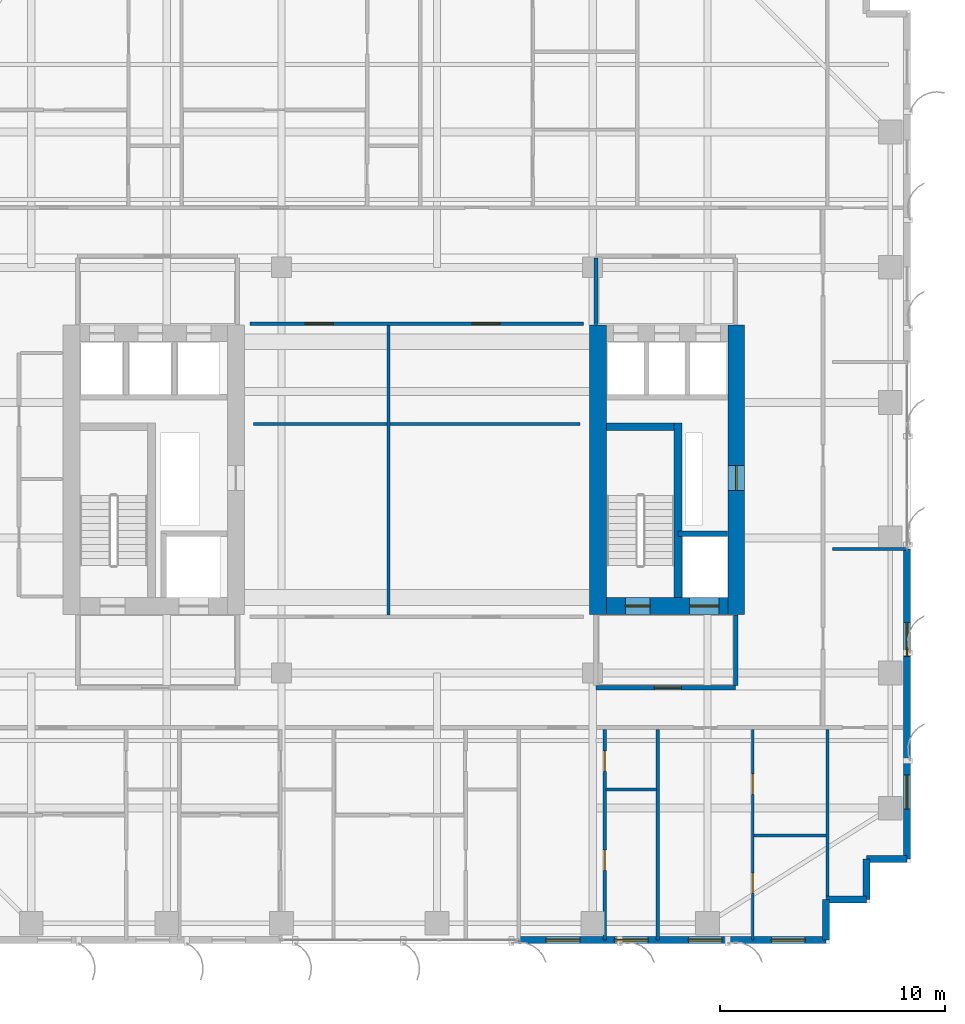
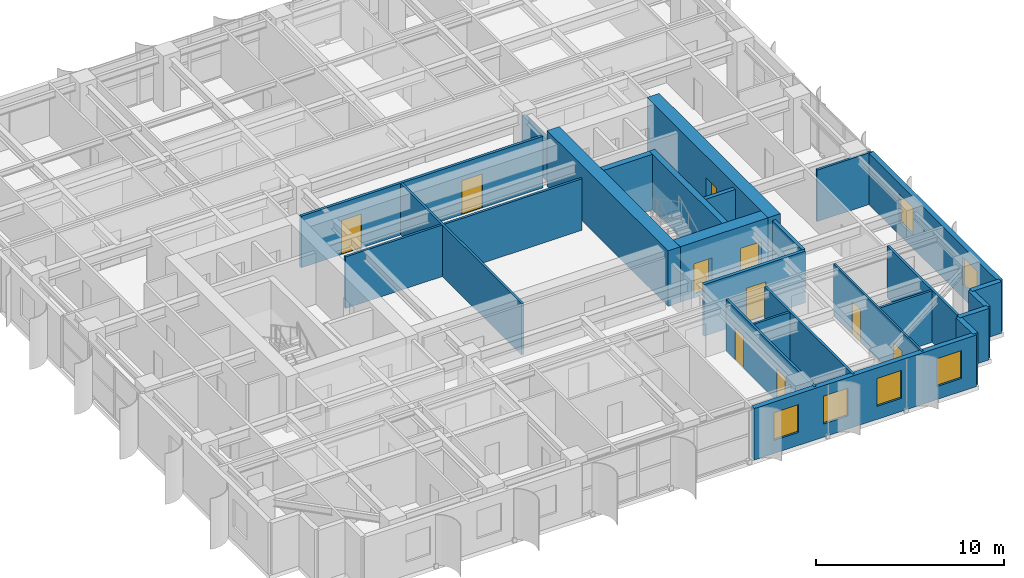
# One storey, part 15 of 22: 25 walls, 10 doors, 6 windows, 16 openings.
"""IFC4 building model written with IfcOpenShell, lengths in metres."""

from ifc_helpers import new_model, si_unit, direction, frame, frame_2d, origin, place, context, subcontext, project, spatial, rectangle, extrude, source, transform, mapped, material, layer, layer_set, type_object, element, fill, save


model = new_model("IFC4")

# Units and contexts
model_context = context("Model", 3, precision=1e-05, world=origin(), true_north=direction((0.0, 1.0)))
body_context = subcontext(model_context, "Body", "Model", "MODEL_VIEW")
ifc_project = project(units=[si_unit("LENGTHUNIT", "METRE"), si_unit("AREAUNIT", "SQUARE_METRE"), si_unit("VOLUMEUNIT", "CUBIC_METRE"), si_unit("PLANEANGLEUNIT", "RADIAN"), si_unit("MASSUNIT", "GRAM", prefix="KILO")], contexts=[model_context])

# Site, building, storey
site_placement = place(None, origin())
site = spatial("IfcSite", under=ifc_project, at=site_placement, CompositionType="ELEMENT")
building_placement = place(site_placement, origin())
building = spatial("IfcBuilding", under=site, at=building_placement, Name="Khoralis Quay Care Tower", CompositionType="ELEMENT")
storey_placement = place(building_placement, frame((0.0, 0.0, 94.5)))
storey = spatial("IfcBuildingStorey", under=building, at=storey_placement, Name="L24", CompositionType="ELEMENT", Elevation=94.5)

# Wall, opening, door
ifc_material_1 = material(Name="Gypsum plasterboard on acoustic metal stud")
ifc_layer_1 = layer(ifc_material_1, 0.199951171875)
ifc_layer_set_1 = layer_set([ifc_layer_1], Name="Gypsum plasterboard on acoustic metal stud")
wall_type_1 = type_object("IfcWallType", Name="WL-COMP-200", PredefinedType="PARTITIONING", material=ifc_layer_set_1)
wall_1_placement = place(storey_placement, frame((31.050048828125, 11.35009765625, 0.0), z_axis=(0.0, 0.0, 1.0), x_axis=(1.0, 0.0, 0.0)))
wall_1 = element("IfcWall", 1, at=wall_1_placement, inside=storey, type_object=wall_type_1, Name="L24 East Firefighting Lobby South Wall", PredefinedType="PARTITIONING", context=body_context, shape_type="SweptSolid", body=[
    extrude(rectangle(XDim=6.199951171875, YDim=0.199951171875, at=frame_2d((3.10009765625, 0.0))), origin(), (0.0, 0.0, 1.0), 3.340087890625),
])
opening_1_placement = place(wall_1_placement, frame((2.585693359375, 0.0, 0.0)))
opening_1 = element("IfcOpeningElement", 2, at=opening_1_placement, cuts=wall_1, Name="Opening FD1", PredefinedType="OPENING", context=body_context, shape_type="SweptSolid", body=[
    extrude(rectangle(XDim=1.199951171875, YDim=2.199951171875, at=frame_2d((0.60009765625, 1.10009765625))), frame((0.0, 0.10986328125, 0.0), z_axis=(0.0, -1.0, 0.0), x_axis=(1.0, 0.0, 0.0)), (0.0, 0.0, 1.0), 0.219970703125),
])
ifc_material_2 = material(Name="Fire-rated painted steel", Category="steel")
door_type_1 = type_object("IfcDoorType", Name="DR-FFL-1200X2200", OperationType="NOTDEFINED", PredefinedType="DOOR", material=ifc_material_2)
shared_shape_1 = source(origin(), body_context, "Body", "SweptSolid", [
    extrude(rectangle(XDim=1.199951171875, YDim=2.199951171875, at=frame_2d((0.60009765625, 1.10009765625))), frame((0.0, 0.02490234375, 0.0), z_axis=(0.0, -1.0, 0.0), x_axis=(1.0, 0.0, 0.0)), (0.0, 0.0, 1.0), 0.050048828125),
])
door_1_placement = place(opening_1_placement, origin())
door_1 = element("IfcDoor", 3, at=door_1_placement, inside=storey, type_object=door_type_1, Name="L24 East Firefighting Lobby Fire Door", OperationType="SINGLE_SWING_LEFT", OverallHeight=2.199951171875, OverallWidth=1.199951171875, PredefinedType="DOOR", context=body_context, shape_type="MappedRepresentation", body=[
    mapped(shared_shape_1, transform((0.0, 0.0, 0.0), scale=1.0)),
])
fill(opening_1, door_1)

# Walls
wall_2_placement = place(storey_placement, frame((37.25, 11.445068359375, 0.0), z_axis=(0.0, 0.0, 1.0), x_axis=(0.0, 1.0, 0.0)))
element("IfcWall", 4, at=wall_2_placement, inside=storey, type_object=wall_type_1, Name="L24 East Firefighting Lobby East Wall", PredefinedType="PARTITIONING", context=body_context, shape_type="SweptSolid", body=[
    extrude(rectangle(XDim=3.135009765625, YDim=0.199951171875, at=frame_2d((1.5673828125, 0.0))), origin(), (0.0, 0.0, 1.0), 3.340087890625),
])
ifc_material_3 = material(Name="Concrete C80/95", Category="concrete")
ifc_layer_2 = layer(ifc_material_3, 0.75)
ifc_layer_set_2 = layer_set([ifc_layer_2], Name="Concrete C80/95")
wall_type_2 = type_object("IfcWallType", Name="WL-CORE-750", PredefinedType="SHEAR", material=ifc_layer_set_2)
wall_3_placement = place(storey_placement, frame((31.14501953125, 14.60009765625, 0.0), z_axis=(0.0, 0.0, 1.0), x_axis=(0.0, 1.0, 0.0)))
element("IfcWall", 5, at=wall_3_placement, inside=storey, type_object=wall_type_2, Name="L24 ECORE West Shear Wall", PredefinedType="SHEAR", context=body_context, shape_type="SweptSolid", body=[
    extrude(rectangle(XDim=12.849853515625, YDim=0.75, at=frame_2d((6.4248046875, 0.0))), origin(), (0.0, 0.0, 1.0), 3.60009765625),
])

# Wall, opening, door
wall_4_placement = place(storey_placement, frame((37.27490234375, 14.60009765625, 0.0), z_axis=(0.0, 0.0, 1.0), x_axis=(0.0, 1.0, 0.0)))
wall_4 = element("IfcWall", 6, at=wall_4_placement, inside=storey, type_object=wall_type_2, Name="L24 ECORE East Shear Wall", PredefinedType="SHEAR", context=body_context, shape_type="SweptSolid", body=[
    extrude(rectangle(XDim=12.849853515625, YDim=0.75, at=frame_2d((6.4248046875, 0.0))), origin(), (0.0, 0.0, 1.0), 3.60009765625),
])
opening_2_placement = place(wall_4_placement, frame((5.5, 0.0, 0.0)))
opening_2 = element("IfcOpeningElement", 7, at=opening_2_placement, cuts=wall_4, Name="Opening SD1", PredefinedType="OPENING", context=body_context, shape_type="SweptSolid", body=[
    extrude(rectangle(XDim=1.10009765625, YDim=2.199951171875, at=frame_2d((0.550048828125, 1.10009765625))), frame((0.0, 0.385009765625, 0.0), z_axis=(0.0, -1.0, 0.0), x_axis=(1.0, 0.0, 0.0)), (0.0, 0.0, 1.0), 0.77001953125),
])
door_type_2 = type_object("IfcDoorType", Name="DR-STAIR-1100X2200", OperationType="NOTDEFINED", PredefinedType="DOOR", material=ifc_material_2)
shared_shape_2 = source(origin(), body_context, "Body", "SweptSolid", [
    extrude(rectangle(XDim=1.10009765625, YDim=2.199951171875, at=frame_2d((0.550048828125, 1.10009765625))), frame((0.0, 0.02490234375, 0.0), z_axis=(0.0, -1.0, 0.0), x_axis=(1.0, 0.0, 0.0)), (0.0, 0.0, 1.0), 0.050048828125),
])
door_2_placement = place(opening_2_placement, frame((1.10009765625, 0.0, 0.0), z_axis=(0.0, 0.0, 1.0), x_axis=(-1.0, 0.0, 0.0)))
door_2 = element("IfcDoor", 8, at=door_2_placement, inside=storey, type_object=door_type_2, Name="L24 East MEP Riser Door", OperationType="SINGLE_SWING_LEFT", OverallHeight=2.199951171875, OverallWidth=1.10009765625, PredefinedType="DOOR", context=body_context, shape_type="MappedRepresentation", body=[
    mapped(shared_shape_2, transform((0.0, 0.0, 0.0), scale=1.0)),
])
fill(opening_2, door_2)

# Wall, openings, doors
wall_5_placement = place(storey_placement, frame((31.52001953125, 14.97509765625, 0.0), z_axis=(0.0, 0.0, 1.0), x_axis=(1.0, 0.0, 0.0)))
wall_5 = element("IfcWall", 9, at=wall_5_placement, inside=storey, type_object=wall_type_2, Name="L24 ECORE South Shear Wall", PredefinedType="SHEAR", context=body_context, shape_type="SweptSolid", body=[
    extrude(rectangle(XDim=5.3798828125, YDim=0.75, at=frame_2d((2.68994140625, 0.0))), origin(), (0.0, 0.0, 1.0), 3.60009765625),
])
opening_3_placement = place(wall_5_placement, frame((0.830078125, 0.0, 0.0)))
opening_3 = element("IfcOpeningElement", 10, at=opening_3_placement, cuts=wall_5, Name="Opening SD1", PredefinedType="OPENING", context=body_context, shape_type="SweptSolid", body=[
    extrude(rectangle(XDim=1.10009765625, YDim=2.199951171875, at=frame_2d((0.550048828125, 1.10009765625))), frame((0.0, 0.385009765625, 0.0), z_axis=(0.0, -1.0, 0.0), x_axis=(1.0, 0.0, 0.0)), (0.0, 0.0, 1.0), 0.77001953125),
])
opening_4_placement = place(wall_5_placement, frame((3.679931640625, 0.0, 0.0)))
opening_4 = element("IfcOpeningElement", 11, at=opening_4_placement, cuts=wall_5, Name="Opening LD2", PredefinedType="OPENING", context=body_context, shape_type="SweptSolid", body=[
    extrude(rectangle(XDim=1.300048828125, YDim=2.199951171875, at=frame_2d((0.64990234375, 1.10009765625))), frame((0.0, 0.385009765625, 0.0), z_axis=(0.0, -1.0, 0.0), x_axis=(1.0, 0.0, 0.0)), (0.0, 0.0, 1.0), 0.77001953125),
])
door_3_placement = place(opening_3_placement, origin())
door_3 = element("IfcDoor", 12, at=door_3_placement, inside=storey, type_object=door_type_2, Name="L24 Stair ST-T2 Fire Door", OperationType="SINGLE_SWING_LEFT", OverallHeight=2.199951171875, OverallWidth=1.10009765625, PredefinedType="DOOR", context=body_context, shape_type="MappedRepresentation", body=[
    mapped(shared_shape_2, transform((0.0, 0.0, 0.0), scale=1.0)),
])
fill(opening_3, door_3)
ifc_material_4 = material(Name="Brushed stainless steel", Category="steel")
door_type_3 = type_object("IfcDoorType", Name="DR-LIFT-1300X2200", OperationType="SLIDING_TO_RIGHT", PredefinedType="DOOR", material=ifc_material_4)
shared_shape_3 = source(origin(), body_context, "Body", "SweptSolid", [
    extrude(rectangle(XDim=1.300048828125, YDim=2.199951171875, at=frame_2d((0.64990234375, 1.10009765625))), frame((0.0, 0.02490234375, 0.0), z_axis=(0.0, -1.0, 0.0), x_axis=(1.0, 0.0, 0.0)), (0.0, 0.0, 1.0), 0.050048828125),
])
door_4_placement = place(opening_4_placement, origin())
door_4 = element("IfcDoor", 13, at=door_4_placement, inside=storey, type_object=door_type_3, Name="L24 Firefighting Lift FFL-2 Landing Door", OperationType="SLIDING_TO_RIGHT", OverallHeight=2.199951171875, OverallWidth=1.300048828125, PredefinedType="DOOR", context=body_context, shape_type="MappedRepresentation", body=[
    mapped(shared_shape_3, transform((0.0, 0.0, 0.0), scale=1.0)),
])
fill(opening_4, door_4)

# Wall
ifc_layer_3 = layer(ifc_material_1, 0.1650390625)
ifc_layer_set_3 = layer_set([ifc_layer_3], Name="Gypsum plasterboard on acoustic metal stud")
wall_type_3 = type_object("IfcWallType", Name="WL-CORR-165", PredefinedType="PARTITIONING", material=ifc_layer_set_3)
wall_6_placement = place(storey_placement, frame((31.050048828125, 27.469970703125, 0.0), z_axis=(0.0, 0.0, 1.0), x_axis=(0.0, 1.0, 0.0)))
element("IfcWall", 14, at=wall_6_placement, inside=storey, type_object=wall_type_3, Name="L24 East Lift Lobby West Wall", PredefinedType="PARTITIONING", context=body_context, shape_type="SweptSolid", body=[
    extrude(rectangle(XDim=2.95263671875, YDim=0.1650390625, at=frame_2d((1.476318359375, 0.0))), origin(), (0.0, 0.0, 1.0), 2.72412109375),
])

# Wall, openings, doors
wall_7_placement = place(storey_placement, frame((15.699951171875, 27.5, 0.0), z_axis=(0.0, 0.0, 1.0), x_axis=(1.0, 0.0, 0.0)))
wall_7 = element("IfcWall", 15, at=wall_7_placement, inside=storey, type_object=wall_type_3, Name="L24 Central Clinical North Wall", PredefinedType="PARTITIONING", context=body_context, shape_type="SweptSolid", body=[
    extrude(rectangle(XDim=14.800048828125, YDim=0.1650390625, at=frame_2d((7.39990234375, 0.0))), origin(), (0.0, 0.0, 1.0), 3.340087890625),
])
opening_5_placement = place(wall_7_placement, frame((2.449951171875, 0.0, 0.0)))
opening_5 = element("IfcOpeningElement", 16, at=opening_5_placement, cuts=wall_7, Name="Opening CD1", PredefinedType="OPENING", context=body_context, shape_type="SweptSolid", body=[
    extrude(rectangle(XDim=1.25, YDim=2.199951171875, at=frame_2d((0.625, 1.10009765625))), frame((0.0, 0.092529296875, 0.0), z_axis=(0.0, -1.0, 0.0), x_axis=(1.0, 0.0, 0.0)), (0.0, 0.0, 1.0), 0.18505859375),
])
opening_6_placement = place(wall_7_placement, frame((9.85009765625, 0.0, 0.0)))
opening_6 = element("IfcOpeningElement", 17, at=opening_6_placement, cuts=wall_7, Name="Opening CD1", PredefinedType="OPENING", context=body_context, shape_type="SweptSolid", body=[
    extrude(rectangle(XDim=1.25, YDim=2.199951171875, at=frame_2d((0.625, 1.10009765625))), frame((0.0, 0.092529296875, 0.0), z_axis=(0.0, -1.0, 0.0), x_axis=(1.0, 0.0, 0.0)), (0.0, 0.0, 1.0), 0.18505859375),
])
ifc_material_5 = material(Name="Acoustic hardwood timber", Category="wood")
door_type_4 = type_object("IfcDoorType", Name="DR-CARE-1250X2200", OperationType="NOTDEFINED", PredefinedType="DOOR", material=ifc_material_5)
shared_shape_4 = source(origin(), body_context, "Body", "SweptSolid", [
    extrude(rectangle(XDim=1.25, YDim=2.199951171875, at=frame_2d((0.625, 1.10009765625))), frame((0.0, 0.02490234375, 0.0), z_axis=(0.0, -1.0, 0.0), x_axis=(1.0, 0.0, 0.0)), (0.0, 0.0, 1.0), 0.050048828125),
])
door_5_placement = place(opening_5_placement, frame((1.25, 0.0, 0.0), z_axis=(0.0, 0.0, 1.0), x_axis=(-1.0, 0.0, 0.0)))
door_5 = element("IfcDoor", 18, at=door_5_placement, inside=storey, type_object=door_type_4, Name="L24 Library Lounge Door", OperationType="SINGLE_SWING_LEFT", OverallHeight=2.199951171875, OverallWidth=1.25, PredefinedType="DOOR", context=body_context, shape_type="MappedRepresentation", body=[
    mapped(shared_shape_4, transform((0.0, 0.0, 0.0), scale=1.0)),
])
fill(opening_5, door_5)
door_6_placement = place(opening_6_placement, frame((1.25, 0.0, 0.0), z_axis=(0.0, 0.0, 1.0), x_axis=(-1.0, 0.0, 0.0)))
door_6 = element("IfcDoor", 19, at=door_6_placement, inside=storey, type_object=door_type_4, Name="L24 Occupational Therapy Door", OperationType="SINGLE_SWING_RIGHT", OverallHeight=2.199951171875, OverallWidth=1.25, PredefinedType="DOOR", context=body_context, shape_type="MappedRepresentation", body=[
    mapped(shared_shape_4, transform((0.0, 0.0, 0.0), scale=1.0)),
])
fill(opening_6, door_6)

# Wall, openings, windows
ifc_material_6 = material(Name="Precast concrete C45/55", Category="concrete")
ifc_layer_4 = layer(ifc_material_6, 0.300048828125)
ifc_layer_set_4 = layer_set([ifc_layer_4], Name="Precast concrete C45/55")
wall_type_4 = type_object("IfcWallType", Name="WL-EXT-REF-300", PredefinedType="SOLIDWALL", material=ifc_layer_set_4)
wall_8_placement = place(storey_placement, frame((27.6201171875, 0.14990234375, 0.0), z_axis=(0.0, 0.0, 1.0), x_axis=(1.0, 0.0, 0.0)))
wall_8 = element("IfcWall", 20, at=wall_8_placement, inside=storey, type_object=wall_type_4, Name="L24 External Facade Wall WL-EXT-L24-P1-E0B", PredefinedType="SOLIDWALL", context=body_context, shape_type="SweptSolid", body=[
    extrude(rectangle(XDim=13.6298828125, YDim=0.300048828125, at=frame_2d((6.81494140625, 0.0))), origin(), (0.0, 0.0, 1.0), 3.340087890625),
])
opening_7_placement = place(wall_8_placement, frame((1.2099609375, 0.0, 0.85009765625)))
opening_7 = element("IfcOpeningElement", 21, at=opening_7_placement, cuts=wall_8, Name="Opening W3", PredefinedType="OPENING", context=body_context, shape_type="SweptSolid", body=[
    extrude(rectangle(XDim=1.5, YDim=1.800048828125, at=frame_2d((0.75, 0.89990234375))), frame((0.0, 0.16015625, 0.0), z_axis=(0.0, -1.0, 0.0), x_axis=(1.0, 0.0, 0.0)), (0.0, 0.0, 1.0), 0.320068359375),
])
opening_8_placement = place(wall_8_placement, frame((4.2451171875, 0.0, 0.85009765625)))
opening_8 = element("IfcOpeningElement", 22, at=opening_8_placement, cuts=wall_8, Name="Opening W3", PredefinedType="OPENING", context=body_context, shape_type="SweptSolid", body=[
    extrude(rectangle(XDim=1.5, YDim=1.800048828125, at=frame_2d((0.75, 0.89990234375))), frame((0.0, 0.16015625, 0.0), z_axis=(0.0, -1.0, 0.0), x_axis=(1.0, 0.0, 0.0)), (0.0, 0.0, 1.0), 0.320068359375),
])
opening_9_placement = place(wall_8_placement, frame((7.528564453125, 0.0, 0.85009765625)))
opening_9 = element("IfcOpeningElement", 23, at=opening_9_placement, cuts=wall_8, Name="Opening W3", PredefinedType="OPENING", context=body_context, shape_type="SweptSolid", body=[
    extrude(rectangle(XDim=1.5, YDim=1.800048828125, at=frame_2d((0.75, 0.89990234375))), frame((0.0, 0.16015625, 0.0), z_axis=(0.0, -1.0, 0.0), x_axis=(1.0, 0.0, 0.0)), (0.0, 0.0, 1.0), 0.320068359375),
])
opening_10_placement = place(wall_8_placement, frame((11.20849609375, 0.0, 0.85009765625)))
opening_10 = element("IfcOpeningElement", 24, at=opening_10_placement, cuts=wall_8, Name="Opening W3", PredefinedType="OPENING", context=body_context, shape_type="SweptSolid", body=[
    extrude(rectangle(XDim=1.5, YDim=1.800048828125, at=frame_2d((0.75, 0.89990234375))), frame((0.0, 0.16015625, 0.0), z_axis=(0.0, -1.0, 0.0), x_axis=(1.0, 0.0, 0.0)), (0.0, 0.0, 1.0), 0.320068359375),
])
ifc_material_7 = material(Name="Low-E solar-control double glazing", Category="glass")
window_type = type_object("IfcWindowType", Name="WN-CLIN-1500X1800", PartitioningType="SINGLE_PANEL", PredefinedType="WINDOW", material=ifc_material_7)
shared_shape_5 = source(origin(), body_context, "Body", "SweptSolid", [
    extrude(rectangle(XDim=1.5, YDim=1.800048828125, at=frame_2d((0.75, 0.89990234375))), frame((0.0, 0.030029296875, 0.0), z_axis=(0.0, -1.0, 0.0), x_axis=(1.0, 0.0, 0.0)), (0.0, 0.0, 1.0), 0.06005859375),
])
window_1_placement = place(opening_7_placement, origin())
window_1 = element("IfcWindow", 25, at=window_1_placement, inside=storey, type_object=window_type, Name="WN-L24-P1-E0B Facade Window 01", OverallHeight=1.800048828125, OverallWidth=1.5, PartitioningType="SINGLE_PANEL", PredefinedType="WINDOW", context=body_context, shape_type="MappedRepresentation", body=[
    mapped(shared_shape_5, transform((0.0, 0.0, 0.0), scale=1.0)),
])
fill(opening_7, window_1)
window_2_placement = place(opening_8_placement, origin())
window_2 = element("IfcWindow", 26, at=window_2_placement, inside=storey, type_object=window_type, Name="WN-L24-P1-E0B Facade Window 02", OverallHeight=1.800048828125, OverallWidth=1.5, PartitioningType="SINGLE_PANEL", PredefinedType="WINDOW", context=body_context, shape_type="MappedRepresentation", body=[
    mapped(shared_shape_5, transform((0.0, 0.0, 0.0), scale=1.0)),
])
fill(opening_8, window_2)
window_3_placement = place(opening_9_placement, origin())
window_3 = element("IfcWindow", 27, at=window_3_placement, inside=storey, type_object=window_type, Name="WN-L24-P1-E0B Facade Window 03", OverallHeight=1.800048828125, OverallWidth=1.5, PartitioningType="SINGLE_PANEL", PredefinedType="WINDOW", context=body_context, shape_type="MappedRepresentation", body=[
    mapped(shared_shape_5, transform((0.0, 0.0, 0.0), scale=1.0)),
])
fill(opening_9, window_3)
window_4_placement = place(opening_10_placement, origin())
window_4 = element("IfcWindow", 28, at=window_4_placement, inside=storey, type_object=window_type, Name="WN-L24-P1-E0B Facade Window 04", OverallHeight=1.800048828125, OverallWidth=1.5, PartitioningType="SINGLE_PANEL", PredefinedType="WINDOW", context=body_context, shape_type="MappedRepresentation", body=[
    mapped(shared_shape_5, transform((0.0, 0.0, 0.0), scale=1.0)),
])
fill(opening_10, window_4)

# Walls
for number, where, z_axis, x_axis, name in (
    (29, (41.25, 0.14990234375, 0.0), (0.0, 0.0, 1.0), (0.0, 1.0, 0.0), "L24 External Facade Wall WL-EXT-L24-P1-C1"),
    (30, (41.25, 1.949951171875, 0.0), (0.0, 0.0, 1.0), (1.0, 0.0, 0.0), "L24 External Facade Wall WL-EXT-L24-P1-C2"),
    (31, (43.050048828125, 1.949951171875, 0.0), (0.0, 0.0, 1.0), (0.0, 1.0, 0.0), "L24 External Facade Wall WL-EXT-L24-P1-C3"),
    (32, (43.050048828125, 3.75, 0.0), (0.0, 0.0, 1.0), (1.0, 0.0, 0.0), "L24 External Facade Wall WL-EXT-L24-P1-C4"),
):
    element("IfcWall", number, at=place(storey_placement, frame(where, z_axis=z_axis, x_axis=x_axis)), inside=storey, type_object=wall_type_4, Name=name, PredefinedType="SOLIDWALL", context=body_context, shape_type="SweptSolid", body=[
        extrude(rectangle(XDim=1.800048828125, YDim=0.300048828125, at=frame_2d((0.89990234375, 0.0))), origin(), (0.0, 0.0, 1.0), 3.340087890625),
    ])

# Wall, openings, windows
wall_9_placement = place(storey_placement, frame((44.85009765625, 3.75, 0.0), z_axis=(0.0, 0.0, 1.0), x_axis=(0.0, 1.0, 0.0)))
wall_9 = element("IfcWall", 33, at=wall_9_placement, inside=storey, type_object=wall_type_4, Name="L24 External Facade Wall WL-EXT-L24-P1-E5A", PredefinedType="SOLIDWALL", context=body_context, shape_type="SweptSolid", body=[
    extrude(rectangle(XDim=13.75, YDim=0.300048828125, at=frame_2d((6.875, 0.0))), origin(), (0.0, 0.0, 1.0), 3.340087890625),
])
opening_11_placement = place(wall_9_placement, frame((2.215087890625, 0.0, 0.85009765625)))
opening_11 = element("IfcOpeningElement", 34, at=opening_11_placement, cuts=wall_9, Name="Opening W3", PredefinedType="OPENING", context=body_context, shape_type="SweptSolid", body=[
    extrude(rectangle(XDim=1.5, YDim=1.800048828125, at=frame_2d((0.75, 0.89990234375))), frame((0.0, 0.16015625, 0.0), z_axis=(0.0, -1.0, 0.0), x_axis=(1.0, 0.0, 0.0)), (0.0, 0.0, 1.0), 0.320068359375),
])
opening_12_placement = place(wall_9_placement, frame((8.989990234375, 0.0, 0.85009765625)))
opening_12 = element("IfcOpeningElement", 35, at=opening_12_placement, cuts=wall_9, Name="Opening W3", PredefinedType="OPENING", context=body_context, shape_type="SweptSolid", body=[
    extrude(rectangle(XDim=1.5, YDim=1.800048828125, at=frame_2d((0.75, 0.89990234375))), frame((0.0, 0.16015625, 0.0), z_axis=(0.0, -1.0, 0.0), x_axis=(1.0, 0.0, 0.0)), (0.0, 0.0, 1.0), 0.320068359375),
])
window_5_placement = place(opening_11_placement, origin())
window_5 = element("IfcWindow", 36, at=window_5_placement, inside=storey, type_object=window_type, Name="WN-L24-P1-E5A Facade Window 01", OverallHeight=1.800048828125, OverallWidth=1.5, PartitioningType="SINGLE_PANEL", PredefinedType="WINDOW", context=body_context, shape_type="MappedRepresentation", body=[
    mapped(shared_shape_5, transform((0.0, 0.0, 0.0), scale=1.0)),
])
fill(opening_11, window_5)
window_6_placement = place(opening_12_placement, origin())
window_6 = element("IfcWindow", 37, at=window_6_placement, inside=storey, type_object=window_type, Name="WN-L24-P1-E5A Facade Window 02", OverallHeight=1.800048828125, OverallWidth=1.5, PartitioningType="SINGLE_PANEL", PredefinedType="WINDOW", context=body_context, shape_type="MappedRepresentation", body=[
    mapped(shared_shape_5, transform((0.0, 0.0, 0.0), scale=1.0)),
])
fill(opening_12, window_6)

# Wall, openings, doors
ifc_layer_5 = layer(ifc_material_1, 0.114990234375)
ifc_layer_set_5 = layer_set([ifc_layer_5], Name="Gypsum plasterboard on acoustic metal stud")
wall_type_5 = type_object("IfcWallType", Name="WL-PART-115", PredefinedType="PARTITIONING", material=ifc_layer_set_5)
wall_10_placement = place(storey_placement, frame((38.007080078125, 0.14501953125, 0.0), z_axis=(0.0, 0.0, 1.0), x_axis=(0.0, 1.0, 0.0)))
wall_10 = element("IfcWall", 38, at=wall_10_placement, inside=storey, type_object=wall_type_5, Name="L24 Studio 4 Internal Wall", PredefinedType="PARTITIONING", context=body_context, shape_type="SweptSolid", body=[
    extrude(rectangle(XDim=9.357421875, YDim=0.114990234375, at=frame_2d((4.6787109375, 0.0))), origin(), (0.0, 0.0, 1.0), 3.340087890625),
])
opening_13_placement = place(wall_10_placement, frame((2.074951171875, 0.0, 0.0)))
opening_13 = element("IfcOpeningElement", 39, at=opening_13_placement, cuts=wall_10, Name="Opening WD1", PredefinedType="OPENING", context=body_context, shape_type="SweptSolid", body=[
    extrude(rectangle(XDim=0.89990234375, YDim=2.10009765625, at=frame_2d((0.449951171875, 1.050048828125))), frame((0.0, 0.0673828125, 0.0), z_axis=(0.0, -1.0, 0.0), x_axis=(1.0, 0.0, 0.0)), (0.0, 0.0, 1.0), 0.135009765625),
])
opening_14_placement = place(wall_10_placement, frame((6.47509765625, 0.0, 0.0)))
opening_14 = element("IfcOpeningElement", 40, at=opening_14_placement, cuts=wall_10, Name="Opening WD1", PredefinedType="OPENING", context=body_context, shape_type="SweptSolid", body=[
    extrude(rectangle(XDim=0.89990234375, YDim=2.10009765625, at=frame_2d((0.449951171875, 1.050048828125))), frame((0.0, 0.0673828125, 0.0), z_axis=(0.0, -1.0, 0.0), x_axis=(1.0, 0.0, 0.0)), (0.0, 0.0, 1.0), 0.135009765625),
])
door_type_5 = type_object("IfcDoorType", Name="DR-BATH-900X2100", OperationType="NOTDEFINED", PredefinedType="DOOR", material=ifc_material_5)
shared_shape_6 = source(origin(), body_context, "Body", "SweptSolid", [
    extrude(rectangle(XDim=0.89990234375, YDim=2.10009765625, at=frame_2d((0.449951171875, 1.050048828125))), frame((0.0, 0.02490234375, 0.0), z_axis=(0.0, -1.0, 0.0), x_axis=(1.0, 0.0, 0.0)), (0.0, 0.0, 1.0), 0.050048828125),
])
door_7_placement = place(opening_13_placement, frame((0.89990234375, 0.0, 0.0), z_axis=(0.0, 0.0, 1.0), x_axis=(-1.0, 0.0, 0.0)))
door_7 = element("IfcDoor", 41, at=door_7_placement, inside=storey, type_object=door_type_5, Name="L24 Studio SKT Door", OperationType="SINGLE_SWING_LEFT", OverallHeight=2.10009765625, OverallWidth=0.89990234375, PredefinedType="DOOR", context=body_context, shape_type="MappedRepresentation", body=[
    mapped(shared_shape_6, transform((0.0, 0.0, 0.0), scale=1.0)),
])
fill(opening_13, door_7)
door_8_placement = place(opening_14_placement, frame((0.89990234375, 0.0, 0.0), z_axis=(0.0, 0.0, 1.0), x_axis=(-1.0, 0.0, 0.0)))
door_8 = element("IfcDoor", 42, at=door_8_placement, inside=storey, type_object=door_type_5, Name="L24 Studio SBH Door", OperationType="SINGLE_SWING_RIGHT", OverallHeight=2.10009765625, OverallWidth=0.89990234375, PredefinedType="DOOR", context=body_context, shape_type="MappedRepresentation", body=[
    mapped(shared_shape_6, transform((0.0, 0.0, 0.0), scale=1.0)),
])
fill(opening_14, door_8)

ifc_material_8 = material(Name="Moisture-resistant gypsum and ceramic tile")
ifc_layer_6 = layer(ifc_material_8, 0.280029296875)
ifc_layer_set_6 = layer_set([ifc_layer_6], Name="Moisture-resistant gypsum and ceramic tile")
wall_type_6 = type_object("IfcWallType", Name="WL-PLUMB-280", PredefinedType="PLUMBINGWALL", material=ifc_layer_set_6)
wall_11_placement = place(storey_placement, frame((31.43994140625, 0.14501953125, 0.0), z_axis=(0.0, 0.0, 1.0), x_axis=(0.0, 1.0, 0.0)))
wall_11 = element("IfcWall", 43, at=wall_11_placement, inside=storey, type_object=wall_type_6, Name="L24 Care Suite 3 En-Suite Wall V", PredefinedType="PLUMBINGWALL", context=body_context, shape_type="SweptSolid", body=[
    extrude(rectangle(XDim=9.357421875, YDim=0.139892578125, at=frame_2d((4.6787109375, 0.0))), origin(), (0.0, 0.0, 1.0), 3.340087890625),
])
opening_15_placement = place(wall_11_placement, frame((7.4951171875, 0.0, 0.0)))
opening_15 = element("IfcOpeningElement", 44, at=opening_15_placement, cuts=wall_11, Name="Opening WD1", PredefinedType="OPENING", context=body_context, shape_type="SweptSolid", body=[
    extrude(rectangle(XDim=0.89990234375, YDim=2.10009765625, at=frame_2d((0.449951171875, 1.050048828125))), frame((0.0, 0.080078125, 0.0), z_axis=(0.0, -1.0, 0.0), x_axis=(1.0, 0.0, 0.0)), (0.0, 0.0, 1.0), 0.159912109375),
])
opening_16_placement = place(wall_11_placement, frame((3.094970703125, 0.0, 0.0)))
opening_16 = element("IfcOpeningElement", 45, at=opening_16_placement, cuts=wall_11, Name="Opening WD1", PredefinedType="OPENING", context=body_context, shape_type="SweptSolid", body=[
    extrude(rectangle(XDim=0.89990234375, YDim=2.10009765625, at=frame_2d((0.449951171875, 1.050048828125))), frame((0.0, 0.080078125, 0.0), z_axis=(0.0, -1.0, 0.0), x_axis=(1.0, 0.0, 0.0)), (0.0, 0.0, 1.0), 0.159912109375),
])
door_9_placement = place(opening_15_placement, frame((0.89990234375, 0.0, 0.0), z_axis=(0.0, 0.0, 1.0), x_axis=(-1.0, 0.0, 0.0)))
door_9 = element("IfcDoor", 46, at=door_9_placement, inside=storey, type_object=door_type_5, Name="L24 Care CENS Door", OperationType="SINGLE_SWING_RIGHT", OverallHeight=2.10009765625, OverallWidth=0.89990234375, PredefinedType="DOOR", context=body_context, shape_type="MappedRepresentation", body=[
    mapped(shared_shape_6, transform((0.0, 0.0, 0.0), scale=1.0)),
])
fill(opening_15, door_9)
door_10_placement = place(opening_16_placement, frame((0.89990234375, 0.0, 0.0), z_axis=(0.0, 0.0, 1.0), x_axis=(-1.0, 0.0, 0.0)))
door_10 = element("IfcDoor", 47, at=door_10_placement, inside=storey, type_object=door_type_5, Name="L24 Care CSIT Door", OperationType="SINGLE_SWING_LEFT", OverallHeight=2.10009765625, OverallWidth=0.89990234375, PredefinedType="DOOR", context=body_context, shape_type="MappedRepresentation", body=[
    mapped(shared_shape_6, transform((0.0, 0.0, 0.0), scale=1.0)),
])
fill(opening_16, door_10)

# Walls
wall_12_placement = place(storey_placement, frame((31.5048828125, 6.830078125, 0.0), z_axis=(0.0, 0.0, 1.0), x_axis=(1.0, 0.0, 0.0)))
element("IfcWall", 48, at=wall_12_placement, inside=storey, type_object=wall_type_6, Name="L24 Care Suite 3 En-Suite Wall H", PredefinedType="PLUMBINGWALL", context=body_context, shape_type="SweptSolid", body=[
    extrude(rectangle(XDim=2.22021484375, YDim=0.139892578125, at=frame_2d((1.110107421875, 0.0))), origin(), (0.0, 0.0, 1.0), 3.340087890625),
])
wall_13_placement = place(storey_placement, frame((38.0595703125, 4.7900390625, 0.0), z_axis=(0.0, 0.0, 1.0), x_axis=(1.0, 0.0, 0.0)))
element("IfcWall", 49, at=wall_13_placement, inside=storey, type_object=wall_type_6, Name="L24 Studio 4 Wet Split", PredefinedType="PLUMBINGWALL", context=body_context, shape_type="SweptSolid", body=[
    extrude(rectangle(XDim=3.1953125, YDim=0.139892578125, at=frame_2d((1.59765625, 0.0))), origin(), (0.0, 0.0, 1.0), 3.340087890625),
])
ifc_material_9 = material(Name="Concrete C40/50", Category="concrete")
ifc_layer_7 = layer(ifc_material_9, 0.35009765625)
ifc_layer_set_7 = layer_set([ifc_layer_7], Name="Concrete C40/50")
wall_type_7 = type_object("IfcWallType", Name="WL-SC-CORE-350", PredefinedType="SHEAR", material=ifc_layer_set_7)
wall_14_placement = place(storey_placement, frame((34.695068359375, 15.35009765625, 0.0), z_axis=(0.0, 0.0, 1.0), x_axis=(0.0, 1.0, 0.0)))
element("IfcWall", 50, at=wall_14_placement, inside=storey, type_object=wall_type_7, Name="L24 Stair ST-T2 Shear Baffle Wall East", PredefinedType="SHEAR", context=body_context, shape_type="SweptSolid", body=[
    extrude(rectangle(XDim=7.75, YDim=0.35009765625, at=frame_2d((3.875, 0.0))), origin(), (0.0, 0.0, 1.0), 3.60009765625),
])
wall_15_placement = place(storey_placement, frame((31.52001953125, 22.925048828125, 0.0), z_axis=(0.0, 0.0, 1.0), x_axis=(1.0, 0.0, 0.0)))
element("IfcWall", 51, at=wall_15_placement, inside=storey, type_object=wall_type_7, Name="L24 Stair ST-T2 Shear Baffle Wall North", PredefinedType="SHEAR", context=body_context, shape_type="SweptSolid", body=[
    extrude(rectangle(XDim=3.0, YDim=0.35009765625, at=frame_2d((1.5, 0.0))), origin(), (0.0, 0.0, 1.0), 3.60009765625),
])
ifc_layer_8 = layer(ifc_material_1, 0.239990234375)
ifc_layer_set_8 = layer_set([ifc_layer_8], Name="Gypsum plasterboard on acoustic metal stud")
wall_type_8 = type_object("IfcWallType", Name="WL-SHAFT-240", PredefinedType="PARTITIONING", material=ifc_layer_set_8)
wall_16_placement = place(storey_placement, frame((34.679931640625, 18.169921875, 0.0), z_axis=(0.0, 0.0, 1.0), x_axis=(1.0, 0.0, 0.0)))
element("IfcWall", 52, at=wall_16_placement, inside=storey, type_object=wall_type_8, Name="L24 FFL-2 Shaft Wall North", PredefinedType="PARTITIONING", context=body_context, shape_type="SweptSolid", body=[
    extrude(rectangle(XDim=2.199951171875, YDim=0.239990234375, at=frame_2d((1.10009765625, 0.0))), origin(), (0.0, 0.0, 1.0), 3.340087890625),
])
ifc_layer_9 = layer(ifc_material_1, 0.139892578125)
ifc_layer_set_9 = layer_set([ifc_layer_9], Name="Gypsum plasterboard on acoustic metal stud")
wall_type_9 = type_object("IfcWallType", Name="WL-UNIT-140", PredefinedType="PARTITIONING", material=ifc_layer_set_9)
wall_17_placement = place(storey_placement, frame((41.5400390625, 17.5, 0.0), z_axis=(0.0, 0.0, 1.0), x_axis=(1.0, 0.0, 0.0)))
element("IfcWall", 53, at=wall_17_placement, inside=storey, type_object=wall_type_9, Name="L24 EE Divider 1", PredefinedType="PARTITIONING", context=body_context, shape_type="SweptSolid", body=[
    extrude(rectangle(XDim=3.31494140625, YDim=0.139892578125, at=frame_2d((1.657470703125, 0.0))), origin(), (0.0, 0.0, 1.0), 3.340087890625),
])
wall_18_placement = place(storey_placement, frame((21.85009765625, 14.577392578125, 0.0), z_axis=(0.0, 0.0, 1.0), x_axis=(0.0, 1.0, 0.0)))
element("IfcWall", 54, at=wall_18_placement, inside=storey, type_object=wall_type_9, Name="L24 Central Split V", PredefinedType="PARTITIONING", context=body_context, shape_type="SweptSolid", body=[
    extrude(rectangle(XDim=12.84521484375, YDim=0.139892578125, at=frame_2d((6.422607421875, 0.0))), origin(), (0.0, 0.0, 1.0), 3.340087890625),
])
wall_19_placement = place(storey_placement, frame((15.85009765625, 23.050048828125, 0.0), z_axis=(0.0, 0.0, 1.0), x_axis=(1.0, 0.0, 0.0)))
element("IfcWall", 55, at=wall_19_placement, inside=storey, type_object=wall_type_9, Name="L24 Central Split H", PredefinedType="PARTITIONING", context=body_context, shape_type="SweptSolid", body=[
    extrude(rectangle(XDim=14.5, YDim=0.139892578125, at=frame_2d((7.25, 0.0))), origin(), (0.0, 0.0, 1.0), 3.340087890625),
])
wall_20_placement = place(storey_placement, frame((33.7900390625, 0.14501953125, 0.0), z_axis=(0.0, 0.0, 1.0), x_axis=(0.0, 1.0, 0.0)))
element("IfcWall", 56, at=wall_20_placement, inside=storey, type_object=wall_type_9, Name="L24 SB Demising Wall 4", PredefinedType="PARTITIONING", context=body_context, shape_type="SweptSolid", body=[
    extrude(rectangle(XDim=9.357421875, YDim=0.139892578125, at=frame_2d((4.6787109375, 0.0))), origin(), (0.0, 0.0, 1.0), 3.340087890625),
])
wall_21_placement = place(storey_placement, frame((41.320068359375, 1.945068359375, 0.0), z_axis=(0.0, 0.0, 1.0), x_axis=(0.0, 1.0, 0.0)))
element("IfcWall", 57, at=wall_21_placement, inside=storey, type_object=wall_type_9, Name="L24 SB Demising Wall 5", PredefinedType="PARTITIONING", context=body_context, shape_type="SweptSolid", body=[
    extrude(rectangle(XDim=7.557373046875, YDim=0.139892578125, at=frame_2d((3.77880859375, 0.0))), origin(), (0.0, 0.0, 1.0), 3.340087890625),
])

save(model, "model.ifc")
